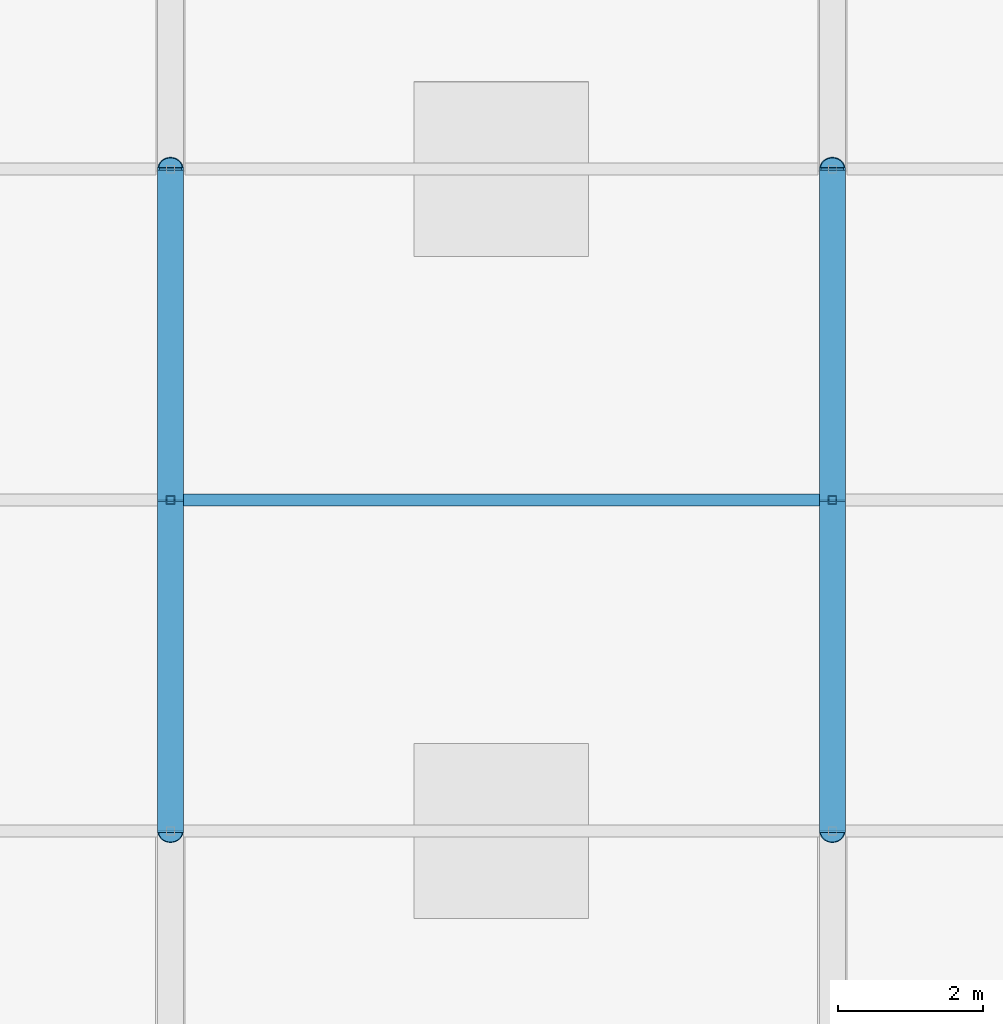
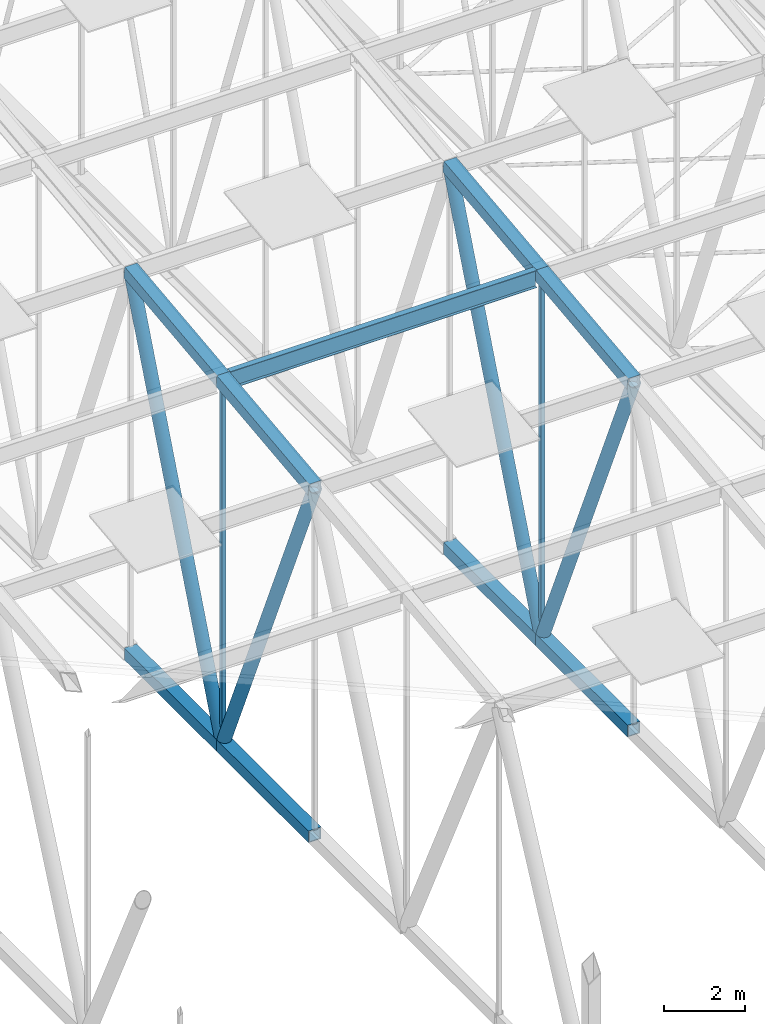
# One storey, part 132 of 500: 15 members.
"""IFC4 building model written with IfcOpenShell, lengths in metres."""

from ifc_helpers import new_model, si_unit, direction, frame, origin, origin_2d, place, context, subcontext, project, spatial, hollow_rectangle, hollow_circle, i_section, extrude, material, material_profile, profile_set, type_object, element, save


model = new_model("IFC4")

# Units and contexts
model_context = context("Model", 3, precision=1e-05, world=origin(), true_north=direction((0.0, 1.0)))
body_context = subcontext(model_context, "Body", "Model", "MODEL_VIEW")
ifc_project = project(units=[si_unit("LENGTHUNIT", "METRE"), si_unit("AREAUNIT", "SQUARE_METRE"), si_unit("VOLUMEUNIT", "CUBIC_METRE"), si_unit("PLANEANGLEUNIT", "RADIAN"), si_unit("MASSUNIT", "GRAM", prefix="KILO")], contexts=[model_context])

# Site, building, storey
site_placement = place(None, origin())
site = spatial("IfcSite", under=ifc_project, at=site_placement, CompositionType="ELEMENT")
building_placement = place(site_placement, origin())
building = spatial("IfcBuilding", under=site, at=building_placement, Name="Shirokan Park Arena", CompositionType="ELEMENT")
storey_placement = place(building_placement, frame((0.0, 0.0, 29.1201171875)))
storey = spatial("IfcBuildingStorey", under=building, at=storey_placement, Name="L06", CompositionType="ELEMENT", Elevation=29.1201171875)

# Members
ifc_material_1 = material(Name="Steel S355J2H", Category="steel")
ifc_material_profile_1 = material_profile(ifc_material_1, hollow_rectangle(XDim=0.35595703125, YDim=0.35595703125, WallThickness=0.025390625, at=origin_2d()), Name="HSS355.6X355.6X25.4")
ifc_profile_set_1 = profile_set([ifc_material_profile_1], Name="Steel S355J2H")
member_type_1 = type_object("IfcMemberType", Name="Bottom chord HSS355.6X355.6X25.4", PredefinedType="CHORD", material=ifc_profile_set_1)
for number, where, z_axis, x_axis, name in (
    (1, (72.800048828125, 22.75, 4.677001953125), (0.0, 1.0, 0.0), (-1.0, 0.0, 0.0), "Truss T09 bottom chord 8"),
    (2, (72.800048828125, 27.300048828125, 4.677001953125), (0.0, 1.0, 0.0), (-1.0, 0.0, 0.0), "Truss T09 bottom chord 9"),
    (3, (81.89990234375, 22.75, 4.677001953125), (0.0, 1.0, 0.0), (-1.0, 0.0, 0.0), "Truss T10 bottom chord 8"),
    (4, (81.89990234375, 27.300048828125, 4.677001953125), (0.0, 1.0, 0.0), (-1.0, 0.0, 0.0), "Truss T10 bottom chord 9"),
):
    element("IfcMember", number, at=place(storey_placement, frame(where, z_axis=z_axis, x_axis=x_axis)), inside=storey, type_object=member_type_1, Name=name, PredefinedType="CHORD", context=body_context, shape_type="SweptSolid", body=[
        extrude(hollow_rectangle(XDim=0.35595703125, YDim=0.35595703125, WallThickness=0.025390625, at=origin_2d()), origin(), (0.0, 0.0, 1.0), 4.550048828125),
    ])
ifc_material_2 = material(Name="Steel ASTM A992", Category="steel")
ifc_material_profile_2 = material_profile(ifc_material_2, i_section(OverallWidth=0.166015625, OverallDepth=0.528076171875, WebThickness=0.009765625, FlangeThickness=0.013671875, at=origin_2d()), Name="W530X74")
ifc_profile_set_2 = profile_set([ifc_material_profile_2], Name="Steel ASTM A992")
member_type_2 = type_object("IfcMemberType", Name="Purlin W530X74", PredefinedType="PURLIN", material=ifc_profile_set_2)
member_1_placement = place(storey_placement, frame((72.97802734375, 27.300048828125, 15.60595703125), z_axis=(1.0, 0.0, 0.0), x_axis=(0.0, 1.0, 0.0)))
element("IfcMember", 5, at=member_1_placement, inside=storey, type_object=member_type_2, Name="Purlin 9 bay 9", PredefinedType="PURLIN", context=body_context, shape_type="SweptSolid", body=[
    extrude(i_section(OverallWidth=0.166015625, OverallDepth=0.528076171875, WebThickness=0.009765625, FlangeThickness=0.013671875, at=origin_2d()), origin(), (0.0, 0.0, 1.0), 8.743896484375),
])
ifc_material_profile_3 = material_profile(ifc_material_1, hollow_rectangle(XDim=0.35595703125, YDim=0.35595703125, WallThickness=0.025390625, at=origin_2d()), Name="HSS355.6X355.6X25.4")
ifc_profile_set_3 = profile_set([ifc_material_profile_3], Name="Steel S355J2H")
member_type_3 = type_object("IfcMemberType", Name="Top chord HSS355.6X355.6X25.4", PredefinedType="CHORD", material=ifc_profile_set_3)
for number, where, z_axis, x_axis, name in (
    (6, (72.800048828125, 22.75, 15.141357421875), (0.0, 0.993532328996, 0.113549598152), (-1.0, 0.0, 0.0), "Truss T09 top chord 8"),
    (7, (72.800048828125, 27.300048828125, 15.661376953125), (0.0, 0.993532328996, 0.113549598152), (-1.0, 0.0, 0.0), "Truss T09 top chord 9"),
    (8, (81.89990234375, 22.75, 15.141357421875), (0.0, 0.993532328996, 0.113549598152), (-1.0, 0.0, 0.0), "Truss T10 top chord 8"),
    (9, (81.89990234375, 27.300048828125, 15.661376953125), (0.0, 0.993532328996, 0.113549598152), (-1.0, 0.0, 0.0), "Truss T10 top chord 9"),
):
    element("IfcMember", number, at=place(storey_placement, frame(where, z_axis=z_axis, x_axis=x_axis)), inside=storey, type_object=member_type_3, Name=name, PredefinedType="CHORD", context=body_context, shape_type="SweptSolid", body=[
        extrude(hollow_rectangle(XDim=0.35595703125, YDim=0.35595703125, WallThickness=0.025390625, at=origin_2d()), origin(), (0.0, 0.0, 1.0), 4.57958984375),
    ])
ifc_material_3 = material(Name="Steel ASTM A500 Grade C", Category="steel")
ifc_material_profile_4 = material_profile(ifc_material_3, hollow_circle(Radius=0.177978515625, WallThickness=0.0126953125, at=origin_2d()), Name="HSS355.6X12.7")
ifc_profile_set_4 = profile_set([ifc_material_profile_4], Name="Steel ASTM A500 Grade C")
member_type_4 = type_object("IfcMemberType", Name="Truss diagonal HSS355.6X12.7", PredefinedType="BRACE", material=ifc_profile_set_4)
member_2_placement = place(storey_placement, frame((72.800048828125, 22.75, 15.141357421875), z_axis=(0.0, 0.398750364192, -0.917059511186), x_axis=(-1.0, 0.0, 0.0)))
element("IfcMember", 10, at=member_2_placement, inside=storey, type_object=member_type_4, Name="Truss T09 diagonal 8", PredefinedType="BRACE", context=body_context, shape_type="SweptSolid", body=[
    extrude(hollow_circle(Radius=0.177978515625, WallThickness=0.0126953125, at=origin_2d()), origin(), (0.0, 0.0, 1.0), 11.410888671875),
])
member_3_placement = place(storey_placement, frame((72.800048828125, 27.300048828125, 4.677001953125), z_axis=(0.0, 0.367784702528, 0.929910970248), x_axis=(-1.0, 0.0, 0.0)))
element("IfcMember", 11, at=member_3_placement, inside=storey, type_object=member_type_4, Name="Truss T09 diagonal 9", PredefinedType="BRACE", context=body_context, shape_type="SweptSolid", body=[
    extrude(hollow_circle(Radius=0.177978515625, WallThickness=0.0126953125, at=origin_2d()), origin(), (0.0, 0.0, 1.0), 12.37158203125),
])
member_4_placement = place(storey_placement, frame((81.89990234375, 22.75, 15.141357421875), z_axis=(0.0, 0.398750364192, -0.917059511186), x_axis=(-1.0, 0.0, 0.0)))
element("IfcMember", 12, at=member_4_placement, inside=storey, type_object=member_type_4, Name="Truss T10 diagonal 8", PredefinedType="BRACE", context=body_context, shape_type="SweptSolid", body=[
    extrude(hollow_circle(Radius=0.177978515625, WallThickness=0.0126953125, at=origin_2d()), origin(), (0.0, 0.0, 1.0), 11.410888671875),
])
member_5_placement = place(storey_placement, frame((81.89990234375, 27.300048828125, 4.677001953125), z_axis=(0.0, 0.367784702528, 0.929910970248), x_axis=(-1.0, 0.0, 0.0)))
element("IfcMember", 13, at=member_5_placement, inside=storey, type_object=member_type_4, Name="Truss T10 diagonal 9", PredefinedType="BRACE", context=body_context, shape_type="SweptSolid", body=[
    extrude(hollow_circle(Radius=0.177978515625, WallThickness=0.0126953125, at=origin_2d()), origin(), (0.0, 0.0, 1.0), 12.37158203125),
])
ifc_material_profile_5 = material_profile(ifc_material_3, hollow_rectangle(XDim=0.114013671875, YDim=0.114013671875, WallThickness=0.00634765625, at=origin_2d()), Name="HSS114.3X114.3X6.4")
ifc_profile_set_5 = profile_set([ifc_material_profile_5], Name="Steel ASTM A500 Grade C")
member_type_5 = type_object("IfcMemberType", Name="Truss post HSS114.3X114.3X6.4", PredefinedType="POST", material=ifc_profile_set_5)
for number, where, z_axis, x_axis, name in (
    (14, (72.800048828125, 27.300048828125, 4.677001953125), (0.0, 0.0, 1.0), (1.0, 0.0, 0.0), "Truss T09 post 9"),
    (15, (81.89990234375, 27.300048828125, 4.677001953125), (0.0, 0.0, 1.0), (1.0, 0.0, 0.0), "Truss T10 post 9"),
):
    element("IfcMember", number, at=place(storey_placement, frame(where, z_axis=z_axis, x_axis=x_axis)), inside=storey, type_object=member_type_5, Name=name, PredefinedType="POST", context=body_context, shape_type="SweptSolid", body=[
        extrude(hollow_rectangle(XDim=0.114013671875, YDim=0.114013671875, WallThickness=0.00634765625, at=origin_2d()), origin(), (0.0, 0.0, 1.0), 10.984375),
    ])

save(model, "model.ifc")
